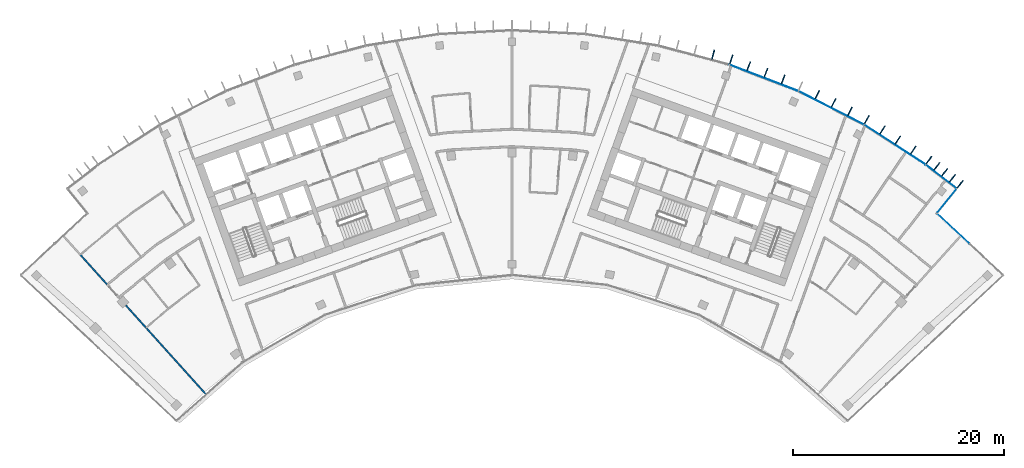
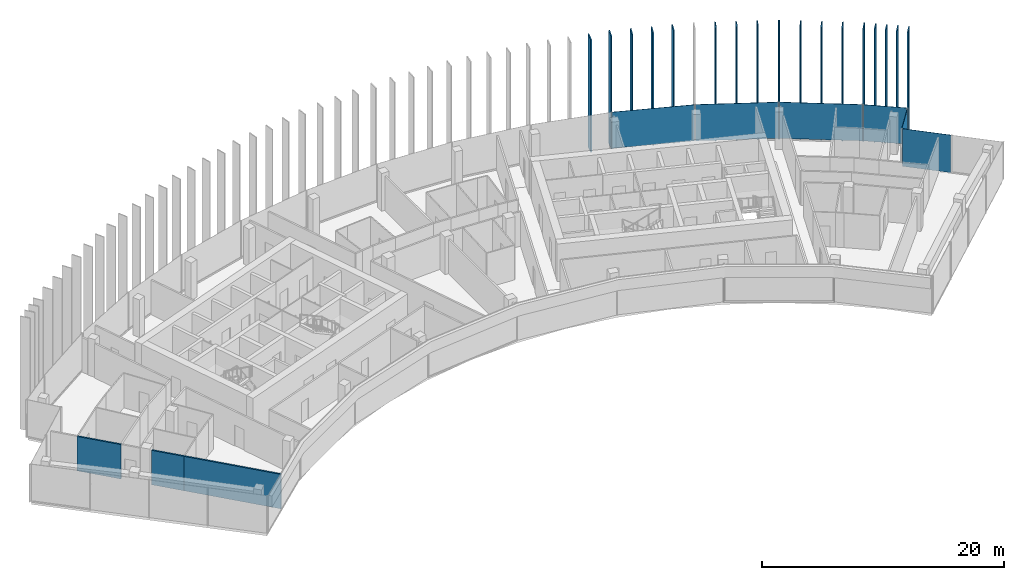
# One storey, part 12 of 19: 23 plates, 3 walls, 3 elements without a shape of their own.
"""IFC4 building model written with IfcOpenShell, lengths in metres."""

from ifc_helpers import new_model, si_unit, direction, frame, frame_2d, origin, origin_2d, place, context, subcontext, project, spatial, rectangle, extrude, material, layer, layer_set, type_object, element, aggregate, save


model = new_model("IFC4")

# Units and contexts
model_context = context("Model", 3, precision=1e-05, world=origin(), true_north=direction((0.0, 1.0)))
body_context = subcontext(model_context, "Body", "Model", "MODEL_VIEW")
ifc_project = project(units=[si_unit("LENGTHUNIT", "METRE"), si_unit("AREAUNIT", "SQUARE_METRE"), si_unit("VOLUMEUNIT", "CUBIC_METRE"), si_unit("PLANEANGLEUNIT", "RADIAN"), si_unit("MASSUNIT", "GRAM", prefix="KILO")], contexts=[model_context])

# Site, building, storey
site_placement = place(None, origin())
site = spatial("IfcSite", under=ifc_project, at=site_placement, CompositionType="ELEMENT")
building_placement = place(site_placement, origin())
building = spatial("IfcBuilding", under=site, at=building_placement, Name="Stone Belt Terrace Tower", CompositionType="ELEMENT")
storey_placement = place(building_placement, frame((0.0, 0.0, 280.800048828125)))
storey = spatial("IfcBuildingStorey", under=building, at=storey_placement, Name="L68", CompositionType="ELEMENT", Elevation=280.800048828125)

# Curtain wall, plates
ifc_material_1 = material(Name="Aluminium 6063-T6 anodised frame", Category="aluminium")
ifc_layer_1 = layer(ifc_material_1, 0.14990234375)
ifc_layer_set_1 = layer_set([ifc_layer_1], Name="CW-A unitised convex-face curtain wall")
curtain_wall_type_1 = type_object("IfcCurtainWallType", Name="CW-A unitised convex-face curtain wall", PredefinedType="NOTDEFINED", material=ifc_layer_set_1)
curtain_wall_1_placement = place(storey_placement, origin())
curtain_wall_1 = element("IfcCurtainWall", 1, at=curtain_wall_1_placement, inside=storey, type_object=curtain_wall_type_1, Name="CW-A convex face L68", PredefinedType="NOTDEFINED")
ifc_material_2 = material(Name="Clear double glazed unit")
ifc_layer_2 = layer(ifc_material_2, 0.031982421875)
ifc_layer_set_2 = layer_set([ifc_layer_2], Name="CW-A glass panel 32")
plate_type_1 = type_object("IfcPlateType", Name="CW-A glass panel 32", PredefinedType="CURTAIN_PANEL", material=ifc_layer_set_2)
plate_1_placement = place(storey_placement, frame((40.583251953125, 52.744140625, 0.14013671875), z_axis=(0.0, 0.0, 1.0), x_axis=(-0.792693871824, 0.60961990254, 0.0)))
plate_1 = element("IfcPlate", 2, at=plate_1_placement, type_object=plate_type_1, Name="CW-A panel 1.1", PredefinedType="CURTAIN_PANEL", context=body_context, shape_type="SweptSolid", body=[
    extrude(rectangle(XDim=3.597900390625, YDim=0.031982421875, at=origin_2d()), origin(), (0.0, 0.0, 1.0), 3.659912109375),
])
plate_2_placement = place(storey_placement, frame((36.209716796875, 55.758056640625, 0.14013671875), z_axis=(0.0, 0.0, 1.0), x_axis=(-0.838670567945, 0.544639035015, 0.0)))
plate_2 = element("IfcPlate", 3, at=plate_2_placement, type_object=plate_type_1, Name="CW-A panel 2.1", PredefinedType="CURTAIN_PANEL", context=body_context, shape_type="SweptSolid", body=[
    extrude(rectangle(XDim=6.900634765625, YDim=0.031982421875, at=origin_2d()), origin(), (0.0, 0.0, 1.0), 3.659912109375),
])
plate_3_placement = place(storey_placement, frame((30.18310546875, 59.237548828125, 0.14013671875), z_axis=(0.0, 0.0, 1.0), x_axis=(-0.891006524188, 0.45399049974, 0.0)))
plate_3 = element("IfcPlate", 4, at=plate_3_placement, type_object=plate_type_1, Name="CW-A panel 3.1", PredefinedType="CURTAIN_PANEL", context=body_context, shape_type="SweptSolid", body=[
    extrude(rectangle(XDim=6.90087890625, YDim=0.031982421875, at=origin_2d()), origin(), (0.0, 0.0, 1.0), 3.659912109375),
])
plate_4_placement = place(storey_placement, frame((23.82568359375, 62.068115234375, 0.14013671875), z_axis=(0.0, 0.0, 1.0), x_axis=(-0.933580426497, 0.358367949545, 0.0)))
plate_4 = element("IfcPlate", 5, at=plate_4_placement, type_object=plate_type_1, Name="CW-A panel 4.1", PredefinedType="CURTAIN_PANEL", context=body_context, shape_type="SweptSolid", body=[
    extrude(rectangle(XDim=6.90087890625, YDim=0.031982421875, at=origin_2d()), origin(), (0.0, 0.0, 1.0), 3.659912109375),
])
aggregate(curtain_wall_1, [plate_1, plate_2, plate_3, plate_4])

# Curtain wall, plate
ifc_layer_3 = layer(ifc_material_1, 0.14990234375)
ifc_layer_set_3 = layer_set([ifc_layer_3], Name="CW-C stick curtain wall, horn ends and notches")
curtain_wall_type_2 = type_object("IfcCurtainWallType", Name="CW-C stick curtain wall, horn ends and notches", PredefinedType="NOTDEFINED", material=ifc_layer_set_3)
curtain_wall_2_placement = place(storey_placement, origin())
curtain_wall_2 = element("IfcCurtainWall", 6, at=curtain_wall_2_placement, inside=storey, type_object=curtain_wall_type_2, Name="CW-C notch face L68", PredefinedType="NOTDEFINED")
ifc_layer_4 = layer(ifc_material_2, 0.028076171875)
ifc_layer_set_4 = layer_set([ifc_layer_4], Name="CW-C glass panel 28")
plate_type_2 = type_object("IfcPlateType", Name="CW-C glass panel 28", PredefinedType="CURTAIN_PANEL", material=ifc_layer_set_4)
plate_5_placement = place(storey_placement, frame((41.731201171875, 47.814208984375, 0.0), z_axis=(0.0, 0.0, 1.0), x_axis=(-0.731339333871, 0.682013767261, 0.0)))
plate_5 = element("IfcPlate", 7, at=plate_5_placement, type_object=plate_type_2, Name="CW-C panel 2.1", PredefinedType="CURTAIN_PANEL", context=body_context, shape_type="SweptSolid", body=[
    extrude(rectangle(XDim=4.12060546875, YDim=0.028076171875, at=origin_2d()), origin(), (0.0, 0.0, 1.0), 3.800048828125),
])
aggregate(curtain_wall_2, [plate_5])

curtain_wall_3_placement = place(storey_placement, origin())
curtain_wall_3 = element("IfcCurtainWall", 8, at=curtain_wall_3_placement, inside=storey, type_object=curtain_wall_type_2, Name="CW-C notch face L68", PredefinedType="NOTDEFINED")
plate_6_placement = place(storey_placement, frame((41.119140625, 50.43505859375, 0.1201171875), z_axis=(0.0, 0.0, 1.0), x_axis=(0.631001485542, 0.775781622136, 0.0)))
plate_6 = element("IfcPlate", 9, at=plate_6_placement, type_object=plate_type_2, Name="CW-C panel 1.1", PredefinedType="CURTAIN_PANEL", context=body_context, shape_type="SweptSolid", body=[
    extrude(rectangle(XDim=2.859130859375, YDim=0.028076171875, at=origin_2d()), origin(), (0.0, 0.0, 1.0), 3.679931640625),
])
aggregate(curtain_wall_3, [plate_6])

# Plates
ifc_material_3 = material(Name="Terracotta coloured glazed ceramic", Category="masonry")
ifc_layer_5 = layer(ifc_material_3, 0.10009765625)
ifc_layer_set_5 = layer_set([ifc_layer_5], Name="Terracotta fin 100 x 900")
plate_type_3 = type_object("IfcPlateType", Name="Terracotta fin 100 x 900", PredefinedType="SHEET", material=ifc_layer_set_5)
for number, where, z_axis, x_axis, name in (
    (10, (42.388427734375, 52.01806640625, 0.0), (0.0, 0.0, 1.0), (0.60961990254, 0.792693871824, 0.0), "FIN L68 1.1"),
    (11, (41.654052734375, 52.582763671875, 0.0), (0.0, 0.0, 1.0), (0.60961990254, 0.792693871824, 0.0), "FIN L68 1.2"),
    (12, (40.919677734375, 53.147705078125, 0.0), (0.0, 0.0, 1.0), (0.60961990254, 0.792693871824, 0.0), "FIN L68 1.3"),
    (13, (40.185546875, 53.71240234375, 0.0), (0.0, 0.0, 1.0), (0.60961990254, 0.792693871824, 0.0), "FIN L68 1.4"),
    (14, (39.434326171875, 54.28955078125, 0.0), (0.0, 0.0, 1.0), (0.577587125789, 0.816329046477, 0.0), "FIN L68 2.1"),
    (15, (37.9560546875, 55.25, 0.0), (0.0, 0.0, 1.0), (0.544639035015, 0.838670567945, 0.0), "FIN L68 2.2"),
    (16, (36.495361328125, 56.19873046875, 0.0), (0.0, 0.0, 1.0), (0.544639035015, 0.838670567945, 0.0), "FIN L68 2.3"),
    (17, (35.034423828125, 57.147216796875, 0.0), (0.0, 0.0, 1.0), (0.544639035015, 0.838670567945, 0.0), "FIN L68 2.4"),
    (18, (33.550048828125, 58.1103515625, 0.0), (0.0, 0.0, 1.0), (0.5, 0.866025403784, 0.0), "FIN L68 3.1"),
    (19, (31.9736328125, 58.914306640625, 0.0), (0.0, 0.0, 1.0), (0.45399049974, 0.891006524188, 0.0), "FIN L68 3.2"),
    (20, (30.42138671875, 59.705322265625, 0.0), (0.0, 0.0, 1.0), (0.45399049974, 0.891006524188, 0.0), "FIN L68 3.3"),
    (21, (28.869140625, 60.496337890625, 0.0), (0.0, 0.0, 1.0), (0.45399049974, 0.891006524188, 0.0), "FIN L68 3.4"),
    (22, (25.64013671875, 61.933837890625, 0.0), (0.0, 0.0, 1.0), (0.358367949545, 0.933580426497, 0.0), "FIN L68 4.2"),
    (23, (24.013916015625, 62.55810546875, 0.0), (0.0, 0.0, 1.0), (0.358367949545, 0.933580426497, 0.0), "FIN L68 4.3"),
    (24, (22.387451171875, 63.182373046875, 0.0), (0.0, 0.0, 1.0), (0.358367949545, 0.933580426497, 0.0), "FIN L68 4.4"),
    (25, (20.735107421875, 63.81591796875, 0.0), (0.0, 0.0, 1.0), (0.309016994375, 0.951056516295, 0.0), "FIN L68 5.1"),
    (26, (19.02587890625, 64.274658203125, 0.0), (0.0, 0.0, 1.0), (0.258819045103, 0.965925826289, 0.0), "FIN L68 5.2"),
):
    element("IfcPlate", number, at=place(storey_placement, frame(where, z_axis=z_axis, x_axis=x_axis)), inside=storey, type_object=plate_type_3, Name=name, PredefinedType="SHEET", context=body_context, shape_type="SweptSolid", body=[
        extrude(rectangle(XDim=0.89990234375, YDim=0.10009765625, at=origin_2d()), origin(), (0.0, 0.0, 1.0), 11.39990234375),
    ])

# Walls
ifc_material_4 = material(Name="Gypsum board partition")
ifc_layer_6 = layer(ifc_material_4, 0.14990234375)
ifc_layer_set_6 = layer_set([ifc_layer_6], Name="PARTITION 150 EI 60")
wall_type = type_object("IfcWallType", Name="PARTITION 150 EI 60", PredefinedType="PARTITIONING", material=ifc_layer_set_6)
wall_1_placement = place(storey_placement, frame((-34.617919921875, 38.447021484375, 0.0), z_axis=(0.0, 0.0, 1.0), x_axis=(0.669076736043, -0.743193326993, 0.0)))
element("IfcWall", 27, at=wall_1_placement, inside=storey, type_object=wall_type, Name="L68/wall/i038", PredefinedType="PARTITIONING", context=body_context, shape_type="SweptSolid", body=[
    extrude(rectangle(XDim=8.429443359375, YDim=0.14990234375, at=frame_2d((4.21484375, 0.0))), origin(), (0.0, 0.0, 1.0), 3.47998046875),
])
wall_2_placement = place(storey_placement, frame((-36.514892578125, 40.552978515625, 0.0), z_axis=(0.0, 0.0, 1.0), x_axis=(0.66902634976, -0.7432386853, 0.0)))
element("IfcWall", 28, at=wall_2_placement, inside=storey, type_object=wall_type, Name="L68/wall/i039", PredefinedType="PARTITIONING", context=body_context, shape_type="SweptSolid", body=[
    extrude(rectangle(XDim=2.845703125, YDim=0.14990234375, at=frame_2d((1.4228515625, 0.0))), origin(), (0.0, 0.0, 1.0), 3.47998046875),
])
wall_3_placement = place(storey_placement, frame((-40.8359375, 45.35205078125, 0.0), z_axis=(0.0, 0.0, 1.0), x_axis=(0.669092192197, -0.743179411946, 0.0)))
element("IfcWall", 29, at=wall_3_placement, inside=storey, type_object=wall_type, Name="L68/wall/i041", PredefinedType="PARTITIONING", context=body_context, shape_type="SweptSolid", body=[
    extrude(rectangle(XDim=3.809326171875, YDim=0.14990234375, at=frame_2d((1.90478515625, 0.0))), origin(), (0.0, 0.0, 1.0), 3.47998046875),
])

save(model, "model.ifc")
